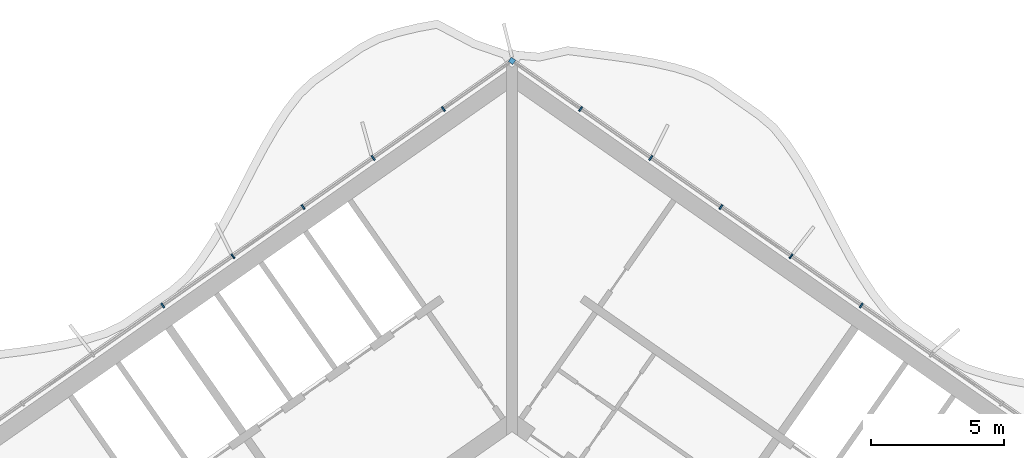
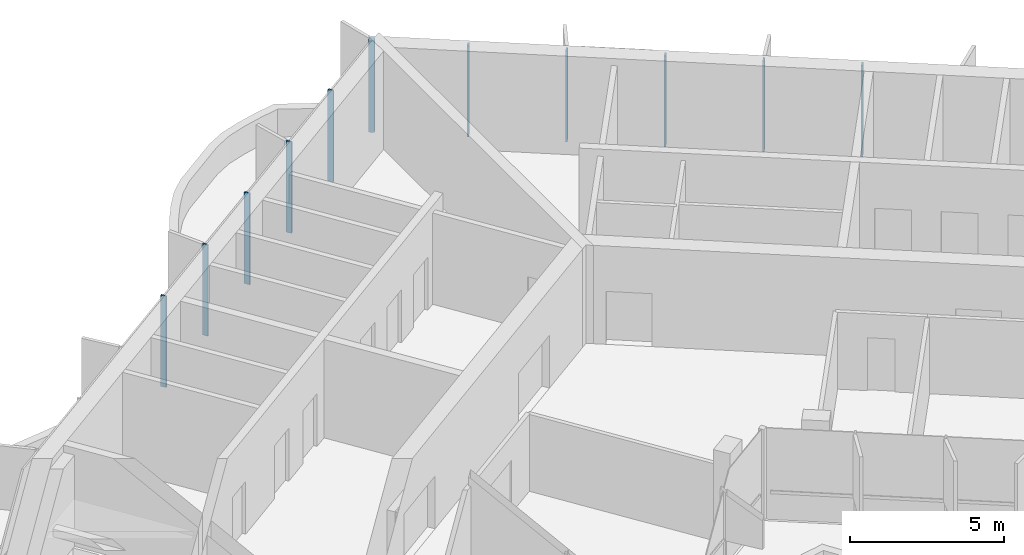
# One storey, part 6 of 18: 11 members, 1 element without a shape of its own.
"""IFC4 building model written with IfcOpenShell, lengths in metres."""

from ifc_helpers import new_model, si_unit, direction, frame, origin, origin_2d, place, context, subcontext, project, spatial, rectangle, extrude, material, material_profile, profile_set, type_object, element, aggregate, save


model = new_model("IFC4")

# Units and contexts
model_context = context("Model", 3, precision=1e-05, world=origin(), true_north=direction((0.0, 1.0)))
body_context = subcontext(model_context, "Body", "Model", "MODEL_VIEW")
ifc_project = project(units=[si_unit("LENGTHUNIT", "METRE"), si_unit("AREAUNIT", "SQUARE_METRE"), si_unit("VOLUMEUNIT", "CUBIC_METRE"), si_unit("PLANEANGLEUNIT", "RADIAN"), si_unit("MASSUNIT", "GRAM", prefix="KILO")], contexts=[model_context])

# Site, building, storey
site_placement = place(None, origin())
site = spatial("IfcSite", under=ifc_project, at=site_placement, CompositionType="ELEMENT")
building_placement = place(site_placement, origin())
building = spatial("IfcBuilding", under=site, at=building_placement, Name="Tel Ilan Convention Tower", CompositionType="ELEMENT")
storey_placement = place(building_placement, frame((0.0, 0.0, 272.199951171875)))
storey = spatial("IfcBuildingStorey", under=building, at=storey_placement, Name="L64", CompositionType="ELEMENT", Elevation=272.199951171875)

# Curtain wall, members
ifc_material_1 = material(Name="Aluminium, bronze anodised", Category="aluminium")
curtain_wall_type = type_object("IfcCurtainWallType", Name="CW2 STICK CURTAIN WALL, SPANDREL PANELS", PredefinedType="NOTDEFINED", material=ifc_material_1)
curtain_wall_placement = place(storey_placement, origin())
curtain_wall = element("IfcCurtainWall", 1, at=curtain_wall_placement, inside=storey, type_object=curtain_wall_type, Name="Curtain wall CW2-49.03", PredefinedType="NOTDEFINED")
ifc_material_2 = material(Name="Aluminium, bronze anodised", Category="aluminium")
ifc_material_profile_1 = material_profile(ifc_material_2, rectangle(XDim=0.199951171875, YDim=0.199951171875, at=origin_2d()), Name="CW CORNER MULLION 200x200")
ifc_profile_set_1 = profile_set([ifc_material_profile_1], Name="Aluminium, bronze anodised")
member_type_1 = type_object("IfcMemberType", Name="CW CORNER MULLION 200x200", PredefinedType="MULLION", material=ifc_profile_set_1)
member_1_placement = place(storey_placement, frame((0.0, 12.696044921875, 0.0), z_axis=(0.0, 0.0, 1.0), x_axis=(-0.819152044289, 0.573576436351, 0.0)))
member_1 = element("IfcMember", 2, at=member_1_placement, type_object=member_type_1, Name="Corner mullion", PredefinedType="MULLION", context=body_context, shape_type="SweptSolid", body=[
    extrude(rectangle(XDim=0.199951171875, YDim=0.199951171875, at=origin_2d()), origin(), (0.0, 0.0, 1.0), 3.6201171875),
])
ifc_material_3 = material(Name="Aluminium, bronze anodised", Category="aluminium")
ifc_material_profile_2 = material_profile(ifc_material_3, rectangle(XDim=0.06005859375, YDim=0.199951171875, at=origin_2d()), Name="CW MULLION 60x200")
ifc_profile_set_2 = profile_set([ifc_material_profile_2], Name="Aluminium, bronze anodised")
member_type_2 = type_object("IfcMemberType", Name="CW MULLION 60x200", PredefinedType="MULLION", material=ifc_profile_set_2)
member_2_placement = place(storey_placement, frame((13.105712890625, 3.519287109375, 0.0), z_axis=(0.0, 0.0, 1.0), x_axis=(-0.819152044289, 0.573576436351, 0.0)))
member_2 = element("IfcMember", 3, at=member_2_placement, type_object=member_type_2, Name="Mullion", PredefinedType="MULLION", context=body_context, shape_type="SweptSolid", body=[
    extrude(rectangle(XDim=0.06005859375, YDim=0.199951171875, at=origin_2d()), origin(), (0.0, 0.0, 1.0), 3.6201171875),
])
member_3_placement = place(storey_placement, frame((10.47314453125, 5.36279296875, 0.0), z_axis=(0.0, 0.0, 1.0), x_axis=(-0.819152044289, 0.573576436351, 0.0)))
member_3 = element("IfcMember", 4, at=member_3_placement, type_object=member_type_2, Name="Mullion", PredefinedType="MULLION", context=body_context, shape_type="SweptSolid", body=[
    extrude(rectangle(XDim=0.06005859375, YDim=0.199951171875, at=origin_2d()), origin(), (0.0, 0.0, 1.0), 3.6201171875),
])
member_4_placement = place(storey_placement, frame((7.840576171875, 7.2060546875, 0.0), z_axis=(0.0, 0.0, 1.0), x_axis=(-0.819152044289, 0.573576436351, 0.0)))
member_4 = element("IfcMember", 5, at=member_4_placement, type_object=member_type_2, Name="Mullion", PredefinedType="MULLION", context=body_context, shape_type="SweptSolid", body=[
    extrude(rectangle(XDim=0.06005859375, YDim=0.199951171875, at=origin_2d()), origin(), (0.0, 0.0, 1.0), 3.6201171875),
])
member_5_placement = place(storey_placement, frame((5.207763671875, 9.049560546875, 0.0), z_axis=(0.0, 0.0, 1.0), x_axis=(-0.819152044289, 0.573576436351, 0.0)))
member_5 = element("IfcMember", 6, at=member_5_placement, type_object=member_type_2, Name="Mullion", PredefinedType="MULLION", context=body_context, shape_type="SweptSolid", body=[
    extrude(rectangle(XDim=0.06005859375, YDim=0.199951171875, at=origin_2d()), origin(), (0.0, 0.0, 1.0), 3.6201171875),
])
member_6_placement = place(storey_placement, frame((2.5751953125, 10.892822265625, 0.0), z_axis=(0.0, 0.0, 1.0), x_axis=(-0.819152044289, 0.573576436351, 0.0)))
member_6 = element("IfcMember", 7, at=member_6_placement, type_object=member_type_2, Name="Mullion", PredefinedType="MULLION", context=body_context, shape_type="SweptSolid", body=[
    extrude(rectangle(XDim=0.06005859375, YDim=0.199951171875, at=origin_2d()), origin(), (0.0, 0.0, 1.0), 3.6201171875),
])
member_7_placement = place(storey_placement, frame((-2.5751953125, 10.892822265625, 0.0), z_axis=(0.0, 0.0, 1.0), x_axis=(-0.819152044289, -0.573576436351, 0.0)))
member_7 = element("IfcMember", 8, at=member_7_placement, type_object=member_type_2, Name="Mullion", PredefinedType="MULLION", context=body_context, shape_type="SweptSolid", body=[
    extrude(rectangle(XDim=0.06005859375, YDim=0.199951171875, at=origin_2d()), origin(), (0.0, 0.0, 1.0), 3.6201171875),
])
member_8_placement = place(storey_placement, frame((-5.207763671875, 9.049560546875, 0.0), z_axis=(0.0, 0.0, 1.0), x_axis=(-0.819152044289, -0.573576436351, 0.0)))
member_8 = element("IfcMember", 9, at=member_8_placement, type_object=member_type_2, Name="Mullion", PredefinedType="MULLION", context=body_context, shape_type="SweptSolid", body=[
    extrude(rectangle(XDim=0.06005859375, YDim=0.199951171875, at=origin_2d()), origin(), (0.0, 0.0, 1.0), 3.6201171875),
])
member_9_placement = place(storey_placement, frame((-7.840576171875, 7.2060546875, 0.0), z_axis=(0.0, 0.0, 1.0), x_axis=(-0.819152044289, -0.573576436351, 0.0)))
member_9 = element("IfcMember", 10, at=member_9_placement, type_object=member_type_2, Name="Mullion", PredefinedType="MULLION", context=body_context, shape_type="SweptSolid", body=[
    extrude(rectangle(XDim=0.06005859375, YDim=0.199951171875, at=origin_2d()), origin(), (0.0, 0.0, 1.0), 3.6201171875),
])
member_10_placement = place(storey_placement, frame((-10.47314453125, 5.36279296875, 0.0), z_axis=(0.0, 0.0, 1.0), x_axis=(-0.819152044289, -0.573576436351, 0.0)))
member_10 = element("IfcMember", 11, at=member_10_placement, type_object=member_type_2, Name="Mullion", PredefinedType="MULLION", context=body_context, shape_type="SweptSolid", body=[
    extrude(rectangle(XDim=0.06005859375, YDim=0.199951171875, at=origin_2d()), origin(), (0.0, 0.0, 1.0), 3.6201171875),
])
member_11_placement = place(storey_placement, frame((-13.105712890625, 3.519287109375, 0.0), z_axis=(0.0, 0.0, 1.0), x_axis=(-0.819152044289, -0.573576436351, 0.0)))
member_11 = element("IfcMember", 12, at=member_11_placement, type_object=member_type_2, Name="Mullion", PredefinedType="MULLION", context=body_context, shape_type="SweptSolid", body=[
    extrude(rectangle(XDim=0.06005859375, YDim=0.199951171875, at=origin_2d()), origin(), (0.0, 0.0, 1.0), 3.6201171875),
])
aggregate(curtain_wall, [member_2, member_3, member_4, member_5, member_6, member_1, member_7, member_8, member_9, member_10, member_11])

save(model, "model.ifc")
